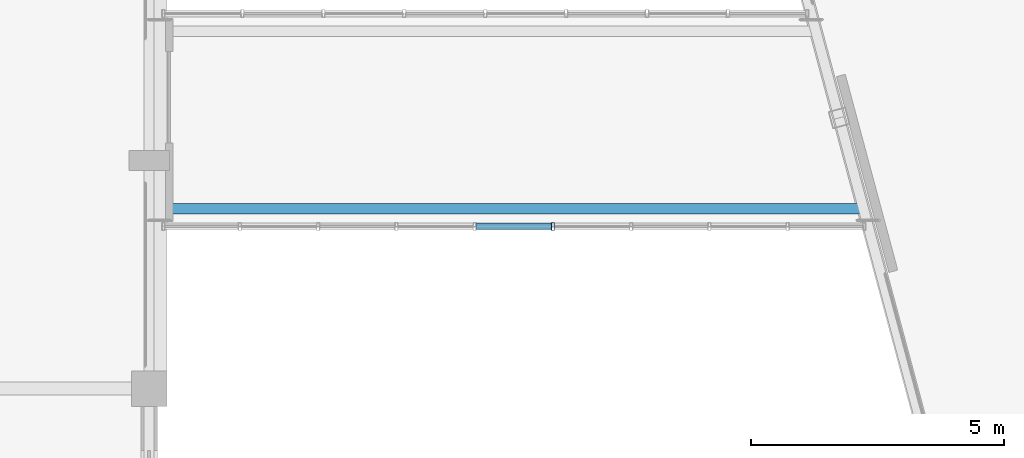
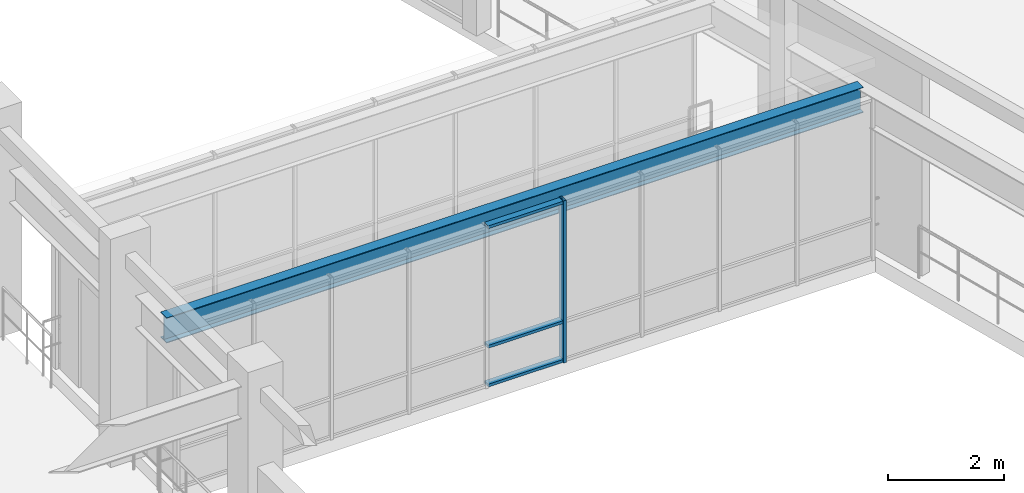
# One storey, part 28 of 99: 4 members, 1 beam, 1 element without a shape of its own.
"""IFC4 building model written with IfcOpenShell, lengths in metres."""

from ifc_helpers import new_model, si_unit, direction, frame, origin, origin_2d, place, context, subcontext, project, spatial, hollow_rectangle, i_section, extrude, material, layer, layer_set, material_profile, profile_set, type_object, element, aggregate, save


model = new_model("IFC4")

# Units and contexts
model_context = context("Model", 3, precision=1e-05, world=origin(), true_north=direction((0.0, 1.0)))
body_context = subcontext(model_context, "Body", "Model", "MODEL_VIEW")
ifc_project = project(units=[si_unit("LENGTHUNIT", "METRE"), si_unit("AREAUNIT", "SQUARE_METRE"), si_unit("VOLUMEUNIT", "CUBIC_METRE"), si_unit("PLANEANGLEUNIT", "RADIAN"), si_unit("MASSUNIT", "GRAM", prefix="KILO")], contexts=[model_context])

# Site, building, storey
site_placement = place(None, origin())
site = spatial("IfcSite", under=ifc_project, at=site_placement, CompositionType="ELEMENT")
building_placement = place(site_placement, origin())
building = spatial("IfcBuilding", under=site, at=building_placement, Name="Ventoquebrada Cableway Terminal", CompositionType="ELEMENT")
storey_placement = place(building_placement, frame((0.0, 0.0, 9.60009765625)))
storey = spatial("IfcBuildingStorey", under=building, at=storey_placement, Name="L02", CompositionType="ELEMENT", Elevation=9.60009765625)

# Beam
ifc_material_1 = material(Name="Steel ASTM A992 Grade 50", Category="steel")
ifc_material_profile_1 = material_profile(ifc_material_1, i_section(OverallWidth=0.2099609375, OverallDepth=0.532958984375, WebThickness=0.01025390625, FlangeThickness=0.015625, at=origin_2d()), Name="W21X62")
ifc_profile_set_1 = profile_set([ifc_material_profile_1], Name="Steel ASTM A992 Grade 50")
beam_type = type_object("IfcBeamType", Name="BM-ST01", PredefinedType="BEAM", material=ifc_profile_set_1)
beam_placement = place(storey_placement, frame((35.22509765625, 80.550048828125, 3.183837890625), z_axis=(1.0, 0.0, 0.0), x_axis=(0.0, 1.0, 0.0)))
element("IfcBeam", 1, at=beam_placement, inside=storey, type_object=beam_type, Name="Link bridge roof girder LP-2 FBM-1111", PredefinedType="BEAM", context=body_context, shape_type="SweptSolid", body=[
    extrude(i_section(OverallWidth=0.2099609375, OverallDepth=0.532958984375, WebThickness=0.01025390625, FlangeThickness=0.015625, at=origin_2d()), origin(), (0.0, 0.0, 1.0), 13.867919921875),
])

# Curtain wall, members
ifc_material_2 = material(Name="Anodized thermally-broken aluminium", Category="aluminium")
ifc_layer = layer(ifc_material_2, 0.159912109375)
ifc_layer_set = layer_set([ifc_layer], Name="Anodized thermally-broken aluminium")
curtain_wall_type = type_object("IfcCurtainWallType", Name="CW-T52", PredefinedType="USERDEFINED", material=ifc_layer_set)
curtain_wall_placement = place(storey_placement, origin())
curtain_wall = element("IfcCurtainWall", 2, at=curtain_wall_placement, inside=storey, type_object=curtain_wall_type, Name="Unitised glazed curtain wall CW-171", ObjectType="UNITISED CURTAIN WALL", PredefinedType="USERDEFINED")
ifc_material_profile_2 = material_profile(ifc_material_2, hollow_rectangle(XDim=0.06005859375, YDim=0.14990234375, WallThickness=0.00390625, at=origin_2d()), Name="CW-MUL-60X150")
ifc_profile_set_2 = profile_set([ifc_material_profile_2], Name="Anodized thermally-broken aluminium")
member_type_1 = type_object("IfcMemberType", Name="CWM-03", PredefinedType="MULLION", material=ifc_profile_set_2)
member_1_placement = place(storey_placement, frame((42.966064453125, 80.199951171875, -0.008056640625), z_axis=(0.0, 0.0, 1.0), x_axis=(1.0, 0.0, 0.0)))
member_1 = element("IfcMember", 3, at=member_1_placement, type_object=member_type_1, Name="Curtain wall mullion FML-0847", PredefinedType="MULLION", context=body_context, shape_type="SweptSolid", body=[
    extrude(hollow_rectangle(XDim=0.06005859375, YDim=0.14990234375, WallThickness=0.00390625, at=origin_2d()), origin(), (0.0, 0.0, 1.0), 3.412841796875),
])
ifc_material_profile_3 = material_profile(ifc_material_2, hollow_rectangle(XDim=0.06005859375, YDim=0.1298828125, WallThickness=0.00390625, at=origin_2d()), Name="CW-TRN-60X130")
ifc_profile_set_3 = profile_set([ifc_material_profile_3], Name="Anodized thermally-broken aluminium")
member_type_2 = type_object("IfcMemberType", Name="CWT-02", PredefinedType="USERDEFINED", material=ifc_profile_set_3)
member_2_placement = place(storey_placement, frame((41.446044921875, 80.199951171875, 0.034912109375), z_axis=(1.0, 0.0, 0.0), x_axis=(0.0, 0.0, 1.0)))
member_2 = element("IfcMember", 4, at=member_2_placement, type_object=member_type_2, Name="Curtain wall transom FTR-2474", ObjectType="TRANSOM", PredefinedType="USERDEFINED", context=body_context, shape_type="SweptSolid", body=[
    extrude(hollow_rectangle(XDim=0.06005859375, YDim=0.1298828125, WallThickness=0.00390625, at=origin_2d()), origin(), (0.0, 0.0, 1.0), 1.494873046875),
])
member_3_placement = place(storey_placement, frame((41.446044921875, 80.199951171875, 0.849853515625), z_axis=(1.0, 0.0, 0.0), x_axis=(0.0, 0.0, 1.0)))
member_3 = element("IfcMember", 5, at=member_3_placement, type_object=member_type_2, Name="Curtain wall transom FTR-2475", ObjectType="TRANSOM", PredefinedType="USERDEFINED", context=body_context, shape_type="SweptSolid", body=[
    extrude(hollow_rectangle(XDim=0.06005859375, YDim=0.1298828125, WallThickness=0.00390625, at=origin_2d()), origin(), (0.0, 0.0, 1.0), 1.494873046875),
])
member_4_placement = place(storey_placement, frame((41.446044921875, 80.199951171875, 3.364990234375), z_axis=(1.0, 0.0, 0.0), x_axis=(0.0, 0.0, 1.0)))
member_4 = element("IfcMember", 6, at=member_4_placement, type_object=member_type_2, Name="Curtain wall transom FTR-2476", ObjectType="TRANSOM", PredefinedType="USERDEFINED", context=body_context, shape_type="SweptSolid", body=[
    extrude(hollow_rectangle(XDim=0.06005859375, YDim=0.1298828125, WallThickness=0.00390625, at=origin_2d()), origin(), (0.0, 0.0, 1.0), 1.494873046875),
])
aggregate(curtain_wall, [member_1, member_2, member_3, member_4])

save(model, "model.ifc")
